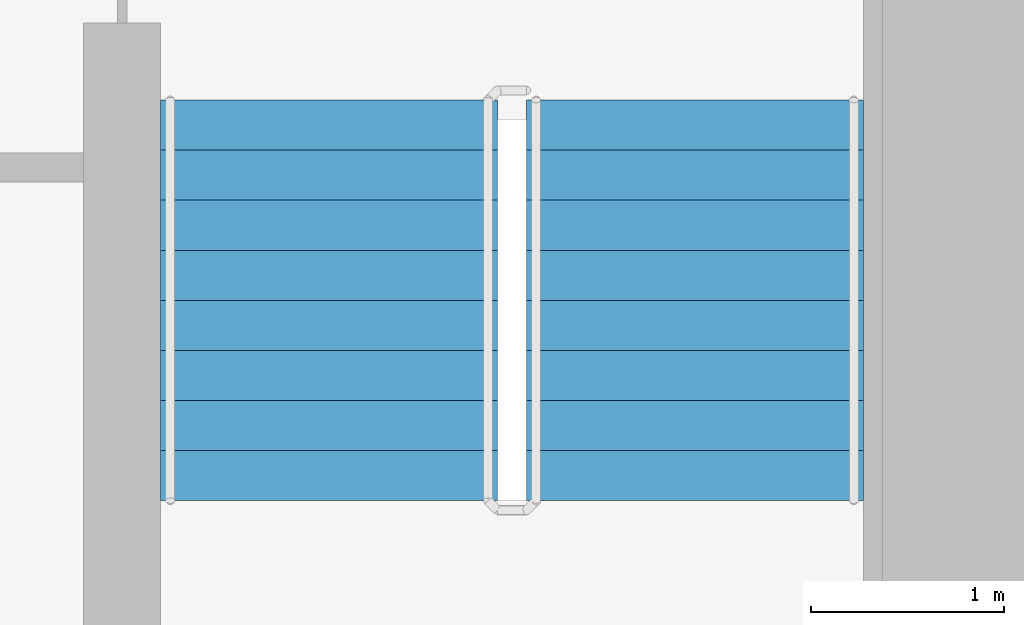
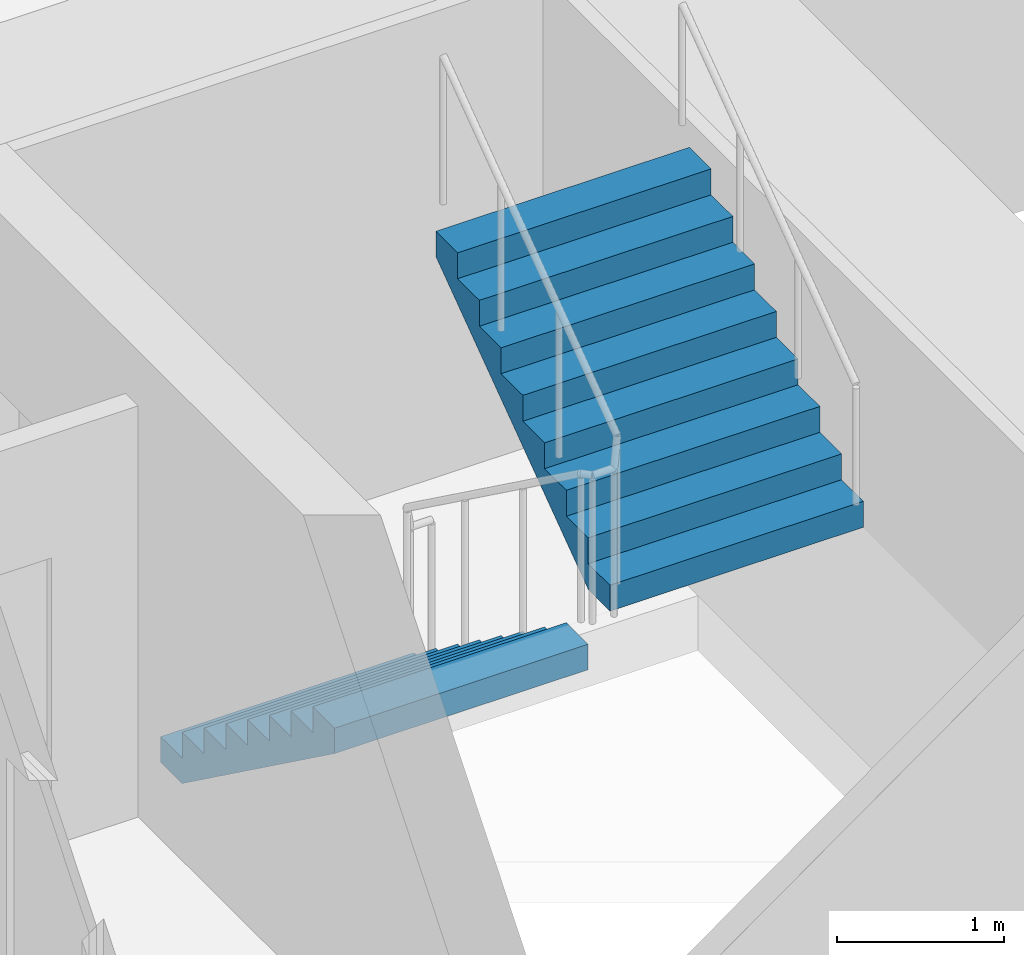
# One storey, part 18 of 21: 2 stair flights, 1 element without a shape of its own.
"""IFC4 building model written with IfcOpenShell, lengths in metres."""

from ifc_helpers import new_model, si_unit, direction, frame, origin, place, context, subcontext, project, spatial, faceted_brep, material, type_object, element, aggregate, save


model = new_model("IFC4")

# Units and contexts
model_context = context("Model", 3, precision=1e-05, world=origin(), true_north=direction((0.0, 1.0)))
body_context = subcontext(model_context, "Body", "Model", "MODEL_VIEW")
ifc_project = project(units=[si_unit("LENGTHUNIT", "METRE"), si_unit("AREAUNIT", "SQUARE_METRE"), si_unit("VOLUMEUNIT", "CUBIC_METRE"), si_unit("PLANEANGLEUNIT", "RADIAN"), si_unit("MASSUNIT", "GRAM", prefix="KILO")], contexts=[model_context])

# Site, building, storey
site_placement = place(None, origin())
site = spatial("IfcSite", under=ifc_project, at=site_placement, CompositionType="ELEMENT")
building_placement = place(site_placement, origin())
building = spatial("IfcBuilding", under=site, at=building_placement, Name="Ipe Terrace Towers", CompositionType="ELEMENT")
storey_placement = place(building_placement, frame((0.0, 0.0, 34.699951171875)))
storey = spatial("IfcBuildingStorey", under=building, at=storey_placement, Name="L08", CompositionType="ELEMENT", Elevation=34.699951171875)

# Stair, stair flights
ifc_material_1 = material(Name="Concrete C30/37", Category="concrete")
stair_type = type_object("IfcStairType", Name="Protected exit stair", PredefinedType="HALF_TURN_STAIR", material=ifc_material_1)
stair_placement = place(storey_placement, origin())
stair = element("IfcStair", 1, at=stair_placement, inside=storey, type_object=stair_type, Name="L08 Exit stair T2-C2", PredefinedType="HALF_TURN_STAIR")
ifc_material_2 = material(Name="Concrete C30/37", Category="concrete")
stair_flight_type = type_object("IfcStairFlightType", Name="Exit stair flight 1750", PredefinedType="STRAIGHT", material=ifc_material_2)
stair_flight_1_placement = place(storey_placement, frame((38.77490234375, -9.699951171875, 0.0), z_axis=(0.0, 0.0, 1.0), x_axis=(0.0, -1.0, 0.0)))
stair_flight_1 = element("IfcStairFlight", 2, at=stair_flight_1_placement, type_object=stair_flight_type, Name="T2-ST2 flight 1", NumberOfRisers=9, NumberOfTreads=8, PredefinedType="STRAIGHT", RiserHeight=0.188888889, TreadLength=0.26, context=body_context, shape_type="Brep", body=[
    faceted_brep([(0.255126953125, -0.875, 0.0), (2.080078125, -0.875, 1.325927734375), (2.080078125, -0.875, 1.51123046875), (1.820068359375, -0.875, 1.51123046875), (1.820068359375, -0.875, 1.322265625), (1.56005859375, -0.875, 1.322265625), (1.56005859375, -0.875, 1.13330078125), (1.300048828125, -0.875, 1.13330078125), (1.300048828125, -0.875, 0.9443359375), (1.0400390625, -0.875, 0.9443359375), (1.0400390625, -0.875, 0.755615234375), (0.780029296875, -0.875, 0.755615234375), (0.780029296875, -0.875, 0.566650390625), (0.52001953125, -0.875, 0.566650390625), (0.52001953125, -0.875, 0.377685546875), (0.260009765625, -0.875, 0.377685546875), (0.260009765625, -0.875, 0.18896484375), (0.0, -0.875, 0.18896484375), (0.0, -0.875, 0.0), (0.0, 0.875, 0.0), (0.0, 0.875, 0.18896484375), (0.260009765625, 0.875, 0.18896484375), (0.260009765625, 0.875, 0.377685546875), (0.52001953125, 0.875, 0.377685546875), (0.52001953125, 0.875, 0.566650390625), (0.780029296875, 0.875, 0.566650390625), (0.780029296875, 0.875, 0.755615234375), (1.0400390625, 0.875, 0.755615234375), (1.0400390625, 0.875, 0.9443359375), (1.300048828125, 0.875, 0.9443359375), (1.300048828125, 0.875, 1.13330078125), (1.56005859375, 0.875, 1.13330078125), (1.56005859375, 0.875, 1.322265625), (1.820068359375, 0.875, 1.322265625), (1.820068359375, 0.875, 1.51123046875), (2.080078125, 0.875, 1.51123046875), (2.080078125, 0.875, 1.325927734375), (0.255126953125, 0.875, 0.0), (0.0, -0.300048828125, 0.18896484375), (0.0, -0.1201171875, 0.18896484375), (0.0, -0.06005859375, 0.18896484375), (0.0, -0.030029296875, 0.18896484375), (0.0, -0.010009765625, 0.18896484375), (0.0, 0.0, 0.18896484375), (0.0, 0.010009765625, 0.18896484375), (0.0, 0.030029296875, 0.18896484375), (0.0, 0.06005859375, 0.18896484375), (0.0, 0.1201171875, 0.18896484375), (0.0, 0.300048828125, 0.18896484375), (0.0, 0.300048828125, 0.0), (0.0, 0.1201171875, 0.0), (0.0, 0.06005859375, 0.0), (0.0, 0.030029296875, 0.0), (0.0, 0.010009765625, 0.0), (0.0, 0.0, 0.0), (0.0, -0.010009765625, 0.0), (0.0, -0.030029296875, 0.0), (0.0, -0.06005859375, 0.0), (0.0, -0.1201171875, 0.0), (0.0, -0.300048828125, 0.0), (0.260009765625, -0.300048828125, 0.18896484375), (0.260009765625, -0.1201171875, 0.18896484375), (0.260009765625, -0.06005859375, 0.18896484375), (0.260009765625, -0.030029296875, 0.18896484375), (0.260009765625, -0.010009765625, 0.18896484375), (0.260009765625, 0.0, 0.18896484375), (0.260009765625, 0.010009765625, 0.18896484375), (0.260009765625, 0.030029296875, 0.18896484375), (0.260009765625, 0.06005859375, 0.18896484375), (0.260009765625, 0.1201171875, 0.18896484375), (0.260009765625, 0.300048828125, 0.18896484375), (0.260009765625, -0.300048828125, 0.377685546875), (0.260009765625, -0.1201171875, 0.377685546875), (0.260009765625, -0.06005859375, 0.377685546875), (0.260009765625, -0.030029296875, 0.377685546875), (0.260009765625, -0.010009765625, 0.377685546875), (0.260009765625, 0.0, 0.377685546875), (0.260009765625, 0.010009765625, 0.377685546875), (0.260009765625, 0.030029296875, 0.377685546875), (0.260009765625, 0.06005859375, 0.377685546875), (0.260009765625, 0.1201171875, 0.377685546875), (0.260009765625, 0.300048828125, 0.377685546875), (0.52001953125, -0.300048828125, 0.377685546875), (0.52001953125, -0.1201171875, 0.377685546875), (0.52001953125, -0.06005859375, 0.377685546875), (0.52001953125, -0.030029296875, 0.377685546875), (0.52001953125, -0.010009765625, 0.377685546875), (0.52001953125, 0.0, 0.377685546875), (0.52001953125, 0.010009765625, 0.377685546875), (0.52001953125, 0.030029296875, 0.377685546875), (0.52001953125, 0.06005859375, 0.377685546875), (0.52001953125, 0.1201171875, 0.377685546875), (0.52001953125, 0.300048828125, 0.377685546875), (0.52001953125, -0.300048828125, 0.566650390625), (0.52001953125, -0.1201171875, 0.566650390625), (0.52001953125, -0.06005859375, 0.566650390625), (0.52001953125, -0.030029296875, 0.566650390625), (0.52001953125, -0.010009765625, 0.566650390625), (0.52001953125, 0.0, 0.566650390625), (0.52001953125, 0.010009765625, 0.566650390625), (0.52001953125, 0.030029296875, 0.566650390625), (0.52001953125, 0.06005859375, 0.566650390625), (0.52001953125, 0.1201171875, 0.566650390625), (0.52001953125, 0.300048828125, 0.566650390625), (0.780029296875, -0.300048828125, 0.566650390625), (0.780029296875, -0.1201171875, 0.566650390625), (0.780029296875, -0.06005859375, 0.566650390625), (0.780029296875, -0.030029296875, 0.566650390625), (0.780029296875, -0.010009765625, 0.566650390625), (0.780029296875, 0.0, 0.566650390625), (0.780029296875, 0.010009765625, 0.566650390625), (0.780029296875, 0.030029296875, 0.566650390625), (0.780029296875, 0.06005859375, 0.566650390625), (0.780029296875, 0.1201171875, 0.566650390625), (0.780029296875, 0.300048828125, 0.566650390625), (0.780029296875, -0.300048828125, 0.755615234375), (0.780029296875, -0.1201171875, 0.755615234375), (0.780029296875, -0.06005859375, 0.755615234375), (0.780029296875, -0.030029296875, 0.755615234375), (0.780029296875, -0.010009765625, 0.755615234375), (0.780029296875, 0.0, 0.755615234375), (0.780029296875, 0.010009765625, 0.755615234375), (0.780029296875, 0.030029296875, 0.755615234375), (0.780029296875, 0.06005859375, 0.755615234375), (0.780029296875, 0.1201171875, 0.755615234375), (0.780029296875, 0.300048828125, 0.755615234375), (1.0400390625, -0.300048828125, 0.755615234375), (1.0400390625, -0.1201171875, 0.755615234375), (1.0400390625, -0.06005859375, 0.755615234375), (1.0400390625, -0.030029296875, 0.755615234375), (1.0400390625, -0.010009765625, 0.755615234375), (1.0400390625, 0.0, 0.755615234375), (1.0400390625, 0.010009765625, 0.755615234375), (1.0400390625, 0.030029296875, 0.755615234375), (1.0400390625, 0.06005859375, 0.755615234375), (1.0400390625, 0.1201171875, 0.755615234375), (1.0400390625, 0.300048828125, 0.755615234375), (1.0400390625, -0.300048828125, 0.9443359375), (1.0400390625, -0.1201171875, 0.9443359375), (1.0400390625, -0.06005859375, 0.9443359375), (1.0400390625, -0.030029296875, 0.9443359375), (1.0400390625, -0.010009765625, 0.9443359375), (1.0400390625, 0.0, 0.9443359375), (1.0400390625, 0.010009765625, 0.9443359375), (1.0400390625, 0.030029296875, 0.9443359375), (1.0400390625, 0.06005859375, 0.9443359375), (1.0400390625, 0.1201171875, 0.9443359375), (1.0400390625, 0.300048828125, 0.9443359375), (1.300048828125, -0.300048828125, 0.9443359375), (1.300048828125, -0.1201171875, 0.9443359375), (1.300048828125, -0.06005859375, 0.9443359375), (1.300048828125, -0.030029296875, 0.9443359375), (1.300048828125, -0.010009765625, 0.9443359375), (1.300048828125, 0.0, 0.9443359375), (1.300048828125, 0.010009765625, 0.9443359375), (1.300048828125, 0.030029296875, 0.9443359375), (1.300048828125, 0.06005859375, 0.9443359375), (1.300048828125, 0.1201171875, 0.9443359375), (1.300048828125, 0.300048828125, 0.9443359375), (1.300048828125, -0.300048828125, 1.13330078125), (1.300048828125, -0.1201171875, 1.13330078125), (1.300048828125, -0.06005859375, 1.13330078125), (1.300048828125, -0.030029296875, 1.13330078125), (1.300048828125, -0.010009765625, 1.13330078125), (1.300048828125, 0.0, 1.13330078125), (1.300048828125, 0.010009765625, 1.13330078125), (1.300048828125, 0.030029296875, 1.13330078125), (1.300048828125, 0.06005859375, 1.13330078125), (1.300048828125, 0.1201171875, 1.13330078125), (1.300048828125, 0.300048828125, 1.13330078125), (1.56005859375, -0.300048828125, 1.13330078125), (1.56005859375, -0.1201171875, 1.13330078125), (1.56005859375, -0.06005859375, 1.13330078125), (1.56005859375, -0.030029296875, 1.13330078125), (1.56005859375, -0.010009765625, 1.13330078125), (1.56005859375, 0.0, 1.13330078125), (1.56005859375, 0.010009765625, 1.13330078125), (1.56005859375, 0.030029296875, 1.13330078125), (1.56005859375, 0.06005859375, 1.13330078125), (1.56005859375, 0.1201171875, 1.13330078125), (1.56005859375, 0.300048828125, 1.13330078125), (1.56005859375, -0.300048828125, 1.322265625), (1.56005859375, -0.1201171875, 1.322265625), (1.56005859375, -0.06005859375, 1.322265625), (1.56005859375, -0.030029296875, 1.322265625), (1.56005859375, -0.010009765625, 1.322265625), (1.56005859375, 0.0, 1.322265625), (1.56005859375, 0.010009765625, 1.322265625), (1.56005859375, 0.030029296875, 1.322265625), (1.56005859375, 0.06005859375, 1.322265625), (1.56005859375, 0.1201171875, 1.322265625), (1.56005859375, 0.300048828125, 1.322265625), (1.820068359375, -0.300048828125, 1.322265625), (1.820068359375, -0.1201171875, 1.322265625), (1.820068359375, -0.06005859375, 1.322265625), (1.820068359375, -0.030029296875, 1.322265625), (1.820068359375, -0.010009765625, 1.322265625), (1.820068359375, 0.0, 1.322265625), (1.820068359375, 0.010009765625, 1.322265625), (1.820068359375, 0.030029296875, 1.322265625), (1.820068359375, 0.06005859375, 1.322265625), (1.820068359375, 0.1201171875, 1.322265625), (1.820068359375, 0.300048828125, 1.322265625), (1.820068359375, -0.300048828125, 1.51123046875), (1.820068359375, -0.1201171875, 1.51123046875), (1.820068359375, -0.06005859375, 1.51123046875), (1.820068359375, -0.030029296875, 1.51123046875), (1.820068359375, -0.010009765625, 1.51123046875), (1.820068359375, 0.0, 1.51123046875), (1.820068359375, 0.010009765625, 1.51123046875), (1.820068359375, 0.030029296875, 1.51123046875), (1.820068359375, 0.06005859375, 1.51123046875), (1.820068359375, 0.1201171875, 1.51123046875), (1.820068359375, 0.300048828125, 1.51123046875), (2.080078125, -0.300048828125, 1.51123046875), (2.080078125, -0.1201171875, 1.51123046875), (2.080078125, -0.06005859375, 1.51123046875), (2.080078125, -0.030029296875, 1.51123046875), (2.080078125, -0.010009765625, 1.51123046875), (2.080078125, 0.0, 1.51123046875), (2.080078125, 0.010009765625, 1.51123046875), (2.080078125, 0.030029296875, 1.51123046875), (2.080078125, 0.06005859375, 1.51123046875), (2.080078125, 0.1201171875, 1.51123046875), (2.080078125, 0.300048828125, 1.51123046875), (2.080078125, -0.300048828125, 1.325927734375), (2.080078125, -0.1201171875, 1.325927734375), (2.080078125, -0.06005859375, 1.325927734375), (2.080078125, -0.030029296875, 1.325927734375), (2.080078125, -0.010009765625, 1.325927734375), (2.080078125, 0.0, 1.325927734375), (2.080078125, 0.010009765625, 1.325927734375), (2.080078125, 0.030029296875, 1.325927734375), (2.080078125, 0.06005859375, 1.325927734375), (2.080078125, 0.1201171875, 1.325927734375), (2.080078125, 0.300048828125, 1.325927734375), (0.255126953125, -0.300048828125, 0.0), (0.255126953125, -0.1201171875, 0.0), (0.255126953125, -0.06005859375, 0.0), (0.255126953125, -0.030029296875, 0.0), (0.255126953125, -0.010009765625, 0.0), (0.255126953125, 0.0, 0.0), (0.255126953125, 0.010009765625, 0.0), (0.255126953125, 0.030029296875, 0.0), (0.255126953125, 0.06005859375, 0.0), (0.255126953125, 0.1201171875, 0.0), (0.255126953125, 0.300048828125, 0.0)], [[[0, 1, 2, 3, 4, 5, 6, 7, 8, 9, 10, 11, 12, 13, 14, 15, 16, 17, 18]], [[19, 20, 21, 22, 23, 24, 25, 26, 27, 28, 29, 30, 31, 32, 33, 34, 35, 36, 37]], [[17, 38, 39, 40, 41, 42, 43, 44, 45, 46, 47, 48, 20, 19, 49, 50, 51, 52, 53, 54, 55, 56, 57, 58, 59, 18]], [[16, 60, 61, 62, 63, 64, 65, 66, 67, 68, 69, 70, 21, 20, 48, 47, 46, 45, 44, 43, 42, 41, 40, 39, 38, 17]], [[15, 71, 72, 73, 74, 75, 76, 77, 78, 79, 80, 81, 22, 21, 70, 69, 68, 67, 66, 65, 64, 63, 62, 61, 60, 16]], [[14, 82, 83, 84, 85, 86, 87, 88, 89, 90, 91, 92, 23, 22, 81, 80, 79, 78, 77, 76, 75, 74, 73, 72, 71, 15]], [[13, 93, 94, 95, 96, 97, 98, 99, 100, 101, 102, 103, 24, 23, 92, 91, 90, 89, 88, 87, 86, 85, 84, 83, 82, 14]], [[12, 104, 105, 106, 107, 108, 109, 110, 111, 112, 113, 114, 25, 24, 103, 102, 101, 100, 99, 98, 97, 96, 95, 94, 93, 13]], [[11, 115, 116, 117, 118, 119, 120, 121, 122, 123, 124, 125, 26, 25, 114, 113, 112, 111, 110, 109, 108, 107, 106, 105, 104, 12]], [[10, 126, 127, 128, 129, 130, 131, 132, 133, 134, 135, 136, 27, 26, 125, 124, 123, 122, 121, 120, 119, 118, 117, 116, 115, 11]], [[9, 137, 138, 139, 140, 141, 142, 143, 144, 145, 146, 147, 28, 27, 136, 135, 134, 133, 132, 131, 130, 129, 128, 127, 126, 10]], [[8, 148, 149, 150, 151, 152, 153, 154, 155, 156, 157, 158, 29, 28, 147, 146, 145, 144, 143, 142, 141, 140, 139, 138, 137, 9]], [[7, 159, 160, 161, 162, 163, 164, 165, 166, 167, 168, 169, 30, 29, 158, 157, 156, 155, 154, 153, 152, 151, 150, 149, 148, 8]], [[6, 170, 171, 172, 173, 174, 175, 176, 177, 178, 179, 180, 31, 30, 169, 168, 167, 166, 165, 164, 163, 162, 161, 160, 159, 7]], [[5, 181, 182, 183, 184, 185, 186, 187, 188, 189, 190, 191, 32, 31, 180, 179, 178, 177, 176, 175, 174, 173, 172, 171, 170, 6]], [[4, 192, 193, 194, 195, 196, 197, 198, 199, 200, 201, 202, 33, 32, 191, 190, 189, 188, 187, 186, 185, 184, 183, 182, 181, 5]], [[3, 203, 204, 205, 206, 207, 208, 209, 210, 211, 212, 213, 34, 33, 202, 201, 200, 199, 198, 197, 196, 195, 194, 193, 192, 4]], [[2, 214, 215, 216, 217, 218, 219, 220, 221, 222, 223, 224, 35, 34, 213, 212, 211, 210, 209, 208, 207, 206, 205, 204, 203, 3]], [[1, 225, 226, 227, 228, 229, 230, 231, 232, 233, 234, 235, 36, 35, 224, 223, 222, 221, 220, 219, 218, 217, 216, 215, 214, 2]], [[0, 236, 237, 238, 239, 240, 241, 242, 243, 244, 245, 246, 37, 36, 235, 234, 233, 232, 231, 230, 229, 228, 227, 226, 225, 1]], [[18, 59, 58, 57, 56, 55, 54, 53, 52, 51, 50, 49, 19, 37, 246, 245, 244, 243, 242, 241, 240, 239, 238, 237, 236, 0]]]),
])
stair_flight_2_placement = place(storey_placement, frame((40.675048828125, -11.780029296875, 1.699951171875), z_axis=(0.0, 0.0, 1.0), x_axis=(0.0, 1.0, 0.0)))
stair_flight_2 = element("IfcStairFlight", 3, at=stair_flight_2_placement, type_object=stair_flight_type, Name="T2-ST2 flight 2", NumberOfRisers=9, NumberOfTreads=8, PredefinedType="STRAIGHT", RiserHeight=0.188888889, TreadLength=0.26, context=body_context, shape_type="Brep", body=[
    faceted_brep([(0.255126953125, -0.875, 0.0), (2.080078125, -0.875, 1.325927734375), (2.080078125, -0.875, 1.51123046875), (1.820068359375, -0.875, 1.51123046875), (1.820068359375, -0.875, 1.322265625), (1.56005859375, -0.875, 1.322265625), (1.56005859375, -0.875, 1.13330078125), (1.300048828125, -0.875, 1.13330078125), (1.300048828125, -0.875, 0.9443359375), (1.0400390625, -0.875, 0.9443359375), (1.0400390625, -0.875, 0.755615234375), (0.780029296875, -0.875, 0.755615234375), (0.780029296875, -0.875, 0.566650390625), (0.52001953125, -0.875, 0.566650390625), (0.52001953125, -0.875, 0.377685546875), (0.260009765625, -0.875, 0.377685546875), (0.260009765625, -0.875, 0.18896484375), (0.0, -0.875, 0.18896484375), (0.0, -0.875, 0.0), (0.0, 0.875, 0.0), (0.0, 0.875, 0.18896484375), (0.260009765625, 0.875, 0.18896484375), (0.260009765625, 0.875, 0.377685546875), (0.52001953125, 0.875, 0.377685546875), (0.52001953125, 0.875, 0.566650390625), (0.780029296875, 0.875, 0.566650390625), (0.780029296875, 0.875, 0.755615234375), (1.0400390625, 0.875, 0.755615234375), (1.0400390625, 0.875, 0.9443359375), (1.300048828125, 0.875, 0.9443359375), (1.300048828125, 0.875, 1.13330078125), (1.56005859375, 0.875, 1.13330078125), (1.56005859375, 0.875, 1.322265625), (1.820068359375, 0.875, 1.322265625), (1.820068359375, 0.875, 1.51123046875), (2.080078125, 0.875, 1.51123046875), (2.080078125, 0.875, 1.325927734375), (0.255126953125, 0.875, 0.0), (0.0, -0.300048828125, 0.18896484375), (0.0, -0.1201171875, 0.18896484375), (0.0, -0.06005859375, 0.18896484375), (0.0, -0.030029296875, 0.18896484375), (0.0, -0.010009765625, 0.18896484375), (0.0, 0.0, 0.18896484375), (0.0, 0.010009765625, 0.18896484375), (0.0, 0.030029296875, 0.18896484375), (0.0, 0.06005859375, 0.18896484375), (0.0, 0.1201171875, 0.18896484375), (0.0, 0.300048828125, 0.18896484375), (0.0, 0.300048828125, 0.0), (0.0, 0.1201171875, 0.0), (0.0, 0.06005859375, 0.0), (0.0, 0.030029296875, 0.0), (0.0, 0.010009765625, 0.0), (0.0, 0.0, 0.0), (0.0, -0.010009765625, 0.0), (0.0, -0.030029296875, 0.0), (0.0, -0.06005859375, 0.0), (0.0, -0.1201171875, 0.0), (0.0, -0.300048828125, 0.0), (0.260009765625, -0.300048828125, 0.18896484375), (0.260009765625, -0.1201171875, 0.18896484375), (0.260009765625, -0.06005859375, 0.18896484375), (0.260009765625, -0.030029296875, 0.18896484375), (0.260009765625, -0.010009765625, 0.18896484375), (0.260009765625, 0.0, 0.18896484375), (0.260009765625, 0.010009765625, 0.18896484375), (0.260009765625, 0.030029296875, 0.18896484375), (0.260009765625, 0.06005859375, 0.18896484375), (0.260009765625, 0.1201171875, 0.18896484375), (0.260009765625, 0.300048828125, 0.18896484375), (0.260009765625, -0.300048828125, 0.377685546875), (0.260009765625, -0.1201171875, 0.377685546875), (0.260009765625, -0.06005859375, 0.377685546875), (0.260009765625, -0.030029296875, 0.377685546875), (0.260009765625, -0.010009765625, 0.377685546875), (0.260009765625, 0.0, 0.377685546875), (0.260009765625, 0.010009765625, 0.377685546875), (0.260009765625, 0.030029296875, 0.377685546875), (0.260009765625, 0.06005859375, 0.377685546875), (0.260009765625, 0.1201171875, 0.377685546875), (0.260009765625, 0.300048828125, 0.377685546875), (0.52001953125, -0.300048828125, 0.377685546875), (0.52001953125, -0.1201171875, 0.377685546875), (0.52001953125, -0.06005859375, 0.377685546875), (0.52001953125, -0.030029296875, 0.377685546875), (0.52001953125, -0.010009765625, 0.377685546875), (0.52001953125, 0.0, 0.377685546875), (0.52001953125, 0.010009765625, 0.377685546875), (0.52001953125, 0.030029296875, 0.377685546875), (0.52001953125, 0.06005859375, 0.377685546875), (0.52001953125, 0.1201171875, 0.377685546875), (0.52001953125, 0.300048828125, 0.377685546875), (0.52001953125, -0.300048828125, 0.566650390625), (0.52001953125, -0.1201171875, 0.566650390625), (0.52001953125, -0.06005859375, 0.566650390625), (0.52001953125, -0.030029296875, 0.566650390625), (0.52001953125, -0.010009765625, 0.566650390625), (0.52001953125, 0.0, 0.566650390625), (0.52001953125, 0.010009765625, 0.566650390625), (0.52001953125, 0.030029296875, 0.566650390625), (0.52001953125, 0.06005859375, 0.566650390625), (0.52001953125, 0.1201171875, 0.566650390625), (0.52001953125, 0.300048828125, 0.566650390625), (0.780029296875, -0.300048828125, 0.566650390625), (0.780029296875, -0.1201171875, 0.566650390625), (0.780029296875, -0.06005859375, 0.566650390625), (0.780029296875, -0.030029296875, 0.566650390625), (0.780029296875, -0.010009765625, 0.566650390625), (0.780029296875, 0.0, 0.566650390625), (0.780029296875, 0.010009765625, 0.566650390625), (0.780029296875, 0.030029296875, 0.566650390625), (0.780029296875, 0.06005859375, 0.566650390625), (0.780029296875, 0.1201171875, 0.566650390625), (0.780029296875, 0.300048828125, 0.566650390625), (0.780029296875, -0.300048828125, 0.755615234375), (0.780029296875, -0.1201171875, 0.755615234375), (0.780029296875, -0.06005859375, 0.755615234375), (0.780029296875, -0.030029296875, 0.755615234375), (0.780029296875, -0.010009765625, 0.755615234375), (0.780029296875, 0.0, 0.755615234375), (0.780029296875, 0.010009765625, 0.755615234375), (0.780029296875, 0.030029296875, 0.755615234375), (0.780029296875, 0.06005859375, 0.755615234375), (0.780029296875, 0.1201171875, 0.755615234375), (0.780029296875, 0.300048828125, 0.755615234375), (1.0400390625, -0.300048828125, 0.755615234375), (1.0400390625, -0.1201171875, 0.755615234375), (1.0400390625, -0.06005859375, 0.755615234375), (1.0400390625, -0.030029296875, 0.755615234375), (1.0400390625, -0.010009765625, 0.755615234375), (1.0400390625, 0.0, 0.755615234375), (1.0400390625, 0.010009765625, 0.755615234375), (1.0400390625, 0.030029296875, 0.755615234375), (1.0400390625, 0.06005859375, 0.755615234375), (1.0400390625, 0.1201171875, 0.755615234375), (1.0400390625, 0.300048828125, 0.755615234375), (1.0400390625, -0.300048828125, 0.9443359375), (1.0400390625, -0.1201171875, 0.9443359375), (1.0400390625, -0.06005859375, 0.9443359375), (1.0400390625, -0.030029296875, 0.9443359375), (1.0400390625, -0.010009765625, 0.9443359375), (1.0400390625, 0.0, 0.9443359375), (1.0400390625, 0.010009765625, 0.9443359375), (1.0400390625, 0.030029296875, 0.9443359375), (1.0400390625, 0.06005859375, 0.9443359375), (1.0400390625, 0.1201171875, 0.9443359375), (1.0400390625, 0.300048828125, 0.9443359375), (1.300048828125, -0.300048828125, 0.9443359375), (1.300048828125, -0.1201171875, 0.9443359375), (1.300048828125, -0.06005859375, 0.9443359375), (1.300048828125, -0.030029296875, 0.9443359375), (1.300048828125, -0.010009765625, 0.9443359375), (1.300048828125, 0.0, 0.9443359375), (1.300048828125, 0.010009765625, 0.9443359375), (1.300048828125, 0.030029296875, 0.9443359375), (1.300048828125, 0.06005859375, 0.9443359375), (1.300048828125, 0.1201171875, 0.9443359375), (1.300048828125, 0.300048828125, 0.9443359375), (1.300048828125, -0.300048828125, 1.13330078125), (1.300048828125, -0.1201171875, 1.13330078125), (1.300048828125, -0.06005859375, 1.13330078125), (1.300048828125, -0.030029296875, 1.13330078125), (1.300048828125, -0.010009765625, 1.13330078125), (1.300048828125, 0.0, 1.13330078125), (1.300048828125, 0.010009765625, 1.13330078125), (1.300048828125, 0.030029296875, 1.13330078125), (1.300048828125, 0.06005859375, 1.13330078125), (1.300048828125, 0.1201171875, 1.13330078125), (1.300048828125, 0.300048828125, 1.13330078125), (1.56005859375, -0.300048828125, 1.13330078125), (1.56005859375, -0.1201171875, 1.13330078125), (1.56005859375, -0.06005859375, 1.13330078125), (1.56005859375, -0.030029296875, 1.13330078125), (1.56005859375, -0.010009765625, 1.13330078125), (1.56005859375, 0.0, 1.13330078125), (1.56005859375, 0.010009765625, 1.13330078125), (1.56005859375, 0.030029296875, 1.13330078125), (1.56005859375, 0.06005859375, 1.13330078125), (1.56005859375, 0.1201171875, 1.13330078125), (1.56005859375, 0.300048828125, 1.13330078125), (1.56005859375, -0.300048828125, 1.322265625), (1.56005859375, -0.1201171875, 1.322265625), (1.56005859375, -0.06005859375, 1.322265625), (1.56005859375, -0.030029296875, 1.322265625), (1.56005859375, -0.010009765625, 1.322265625), (1.56005859375, 0.0, 1.322265625), (1.56005859375, 0.010009765625, 1.322265625), (1.56005859375, 0.030029296875, 1.322265625), (1.56005859375, 0.06005859375, 1.322265625), (1.56005859375, 0.1201171875, 1.322265625), (1.56005859375, 0.300048828125, 1.322265625), (1.820068359375, -0.300048828125, 1.322265625), (1.820068359375, -0.1201171875, 1.322265625), (1.820068359375, -0.06005859375, 1.322265625), (1.820068359375, -0.030029296875, 1.322265625), (1.820068359375, -0.010009765625, 1.322265625), (1.820068359375, 0.0, 1.322265625), (1.820068359375, 0.010009765625, 1.322265625), (1.820068359375, 0.030029296875, 1.322265625), (1.820068359375, 0.06005859375, 1.322265625), (1.820068359375, 0.1201171875, 1.322265625), (1.820068359375, 0.300048828125, 1.322265625), (1.820068359375, -0.300048828125, 1.51123046875), (1.820068359375, -0.1201171875, 1.51123046875), (1.820068359375, -0.06005859375, 1.51123046875), (1.820068359375, -0.030029296875, 1.51123046875), (1.820068359375, -0.010009765625, 1.51123046875), (1.820068359375, 0.0, 1.51123046875), (1.820068359375, 0.010009765625, 1.51123046875), (1.820068359375, 0.030029296875, 1.51123046875), (1.820068359375, 0.06005859375, 1.51123046875), (1.820068359375, 0.1201171875, 1.51123046875), (1.820068359375, 0.300048828125, 1.51123046875), (2.080078125, -0.300048828125, 1.51123046875), (2.080078125, -0.1201171875, 1.51123046875), (2.080078125, -0.06005859375, 1.51123046875), (2.080078125, -0.030029296875, 1.51123046875), (2.080078125, -0.010009765625, 1.51123046875), (2.080078125, 0.0, 1.51123046875), (2.080078125, 0.010009765625, 1.51123046875), (2.080078125, 0.030029296875, 1.51123046875), (2.080078125, 0.06005859375, 1.51123046875), (2.080078125, 0.1201171875, 1.51123046875), (2.080078125, 0.300048828125, 1.51123046875), (2.080078125, -0.300048828125, 1.325927734375), (2.080078125, -0.1201171875, 1.325927734375), (2.080078125, -0.06005859375, 1.325927734375), (2.080078125, -0.030029296875, 1.325927734375), (2.080078125, -0.010009765625, 1.325927734375), (2.080078125, 0.0, 1.325927734375), (2.080078125, 0.010009765625, 1.325927734375), (2.080078125, 0.030029296875, 1.325927734375), (2.080078125, 0.06005859375, 1.325927734375), (2.080078125, 0.1201171875, 1.325927734375), (2.080078125, 0.300048828125, 1.325927734375), (0.255126953125, -0.300048828125, 0.0), (0.255126953125, -0.1201171875, 0.0), (0.255126953125, -0.06005859375, 0.0), (0.255126953125, -0.030029296875, 0.0), (0.255126953125, -0.010009765625, 0.0), (0.255126953125, 0.0, 0.0), (0.255126953125, 0.010009765625, 0.0), (0.255126953125, 0.030029296875, 0.0), (0.255126953125, 0.06005859375, 0.0), (0.255126953125, 0.1201171875, 0.0), (0.255126953125, 0.300048828125, 0.0)], [[[0, 1, 2, 3, 4, 5, 6, 7, 8, 9, 10, 11, 12, 13, 14, 15, 16, 17, 18]], [[19, 20, 21, 22, 23, 24, 25, 26, 27, 28, 29, 30, 31, 32, 33, 34, 35, 36, 37]], [[17, 38, 39, 40, 41, 42, 43, 44, 45, 46, 47, 48, 20, 19, 49, 50, 51, 52, 53, 54, 55, 56, 57, 58, 59, 18]], [[16, 60, 61, 62, 63, 64, 65, 66, 67, 68, 69, 70, 21, 20, 48, 47, 46, 45, 44, 43, 42, 41, 40, 39, 38, 17]], [[15, 71, 72, 73, 74, 75, 76, 77, 78, 79, 80, 81, 22, 21, 70, 69, 68, 67, 66, 65, 64, 63, 62, 61, 60, 16]], [[14, 82, 83, 84, 85, 86, 87, 88, 89, 90, 91, 92, 23, 22, 81, 80, 79, 78, 77, 76, 75, 74, 73, 72, 71, 15]], [[13, 93, 94, 95, 96, 97, 98, 99, 100, 101, 102, 103, 24, 23, 92, 91, 90, 89, 88, 87, 86, 85, 84, 83, 82, 14]], [[12, 104, 105, 106, 107, 108, 109, 110, 111, 112, 113, 114, 25, 24, 103, 102, 101, 100, 99, 98, 97, 96, 95, 94, 93, 13]], [[11, 115, 116, 117, 118, 119, 120, 121, 122, 123, 124, 125, 26, 25, 114, 113, 112, 111, 110, 109, 108, 107, 106, 105, 104, 12]], [[10, 126, 127, 128, 129, 130, 131, 132, 133, 134, 135, 136, 27, 26, 125, 124, 123, 122, 121, 120, 119, 118, 117, 116, 115, 11]], [[9, 137, 138, 139, 140, 141, 142, 143, 144, 145, 146, 147, 28, 27, 136, 135, 134, 133, 132, 131, 130, 129, 128, 127, 126, 10]], [[8, 148, 149, 150, 151, 152, 153, 154, 155, 156, 157, 158, 29, 28, 147, 146, 145, 144, 143, 142, 141, 140, 139, 138, 137, 9]], [[7, 159, 160, 161, 162, 163, 164, 165, 166, 167, 168, 169, 30, 29, 158, 157, 156, 155, 154, 153, 152, 151, 150, 149, 148, 8]], [[6, 170, 171, 172, 173, 174, 175, 176, 177, 178, 179, 180, 31, 30, 169, 168, 167, 166, 165, 164, 163, 162, 161, 160, 159, 7]], [[5, 181, 182, 183, 184, 185, 186, 187, 188, 189, 190, 191, 32, 31, 180, 179, 178, 177, 176, 175, 174, 173, 172, 171, 170, 6]], [[4, 192, 193, 194, 195, 196, 197, 198, 199, 200, 201, 202, 33, 32, 191, 190, 189, 188, 187, 186, 185, 184, 183, 182, 181, 5]], [[3, 203, 204, 205, 206, 207, 208, 209, 210, 211, 212, 213, 34, 33, 202, 201, 200, 199, 198, 197, 196, 195, 194, 193, 192, 4]], [[2, 214, 215, 216, 217, 218, 219, 220, 221, 222, 223, 224, 35, 34, 213, 212, 211, 210, 209, 208, 207, 206, 205, 204, 203, 3]], [[1, 225, 226, 227, 228, 229, 230, 231, 232, 233, 234, 235, 36, 35, 224, 223, 222, 221, 220, 219, 218, 217, 216, 215, 214, 2]], [[0, 236, 237, 238, 239, 240, 241, 242, 243, 244, 245, 246, 37, 36, 235, 234, 233, 232, 231, 230, 229, 228, 227, 226, 225, 1]], [[18, 59, 58, 57, 56, 55, 54, 53, 52, 51, 50, 49, 19, 37, 246, 245, 244, 243, 242, 241, 240, 239, 238, 237, 236, 0]]]),
])
aggregate(stair, [stair_flight_1, stair_flight_2])

save(model, "model.ifc")
